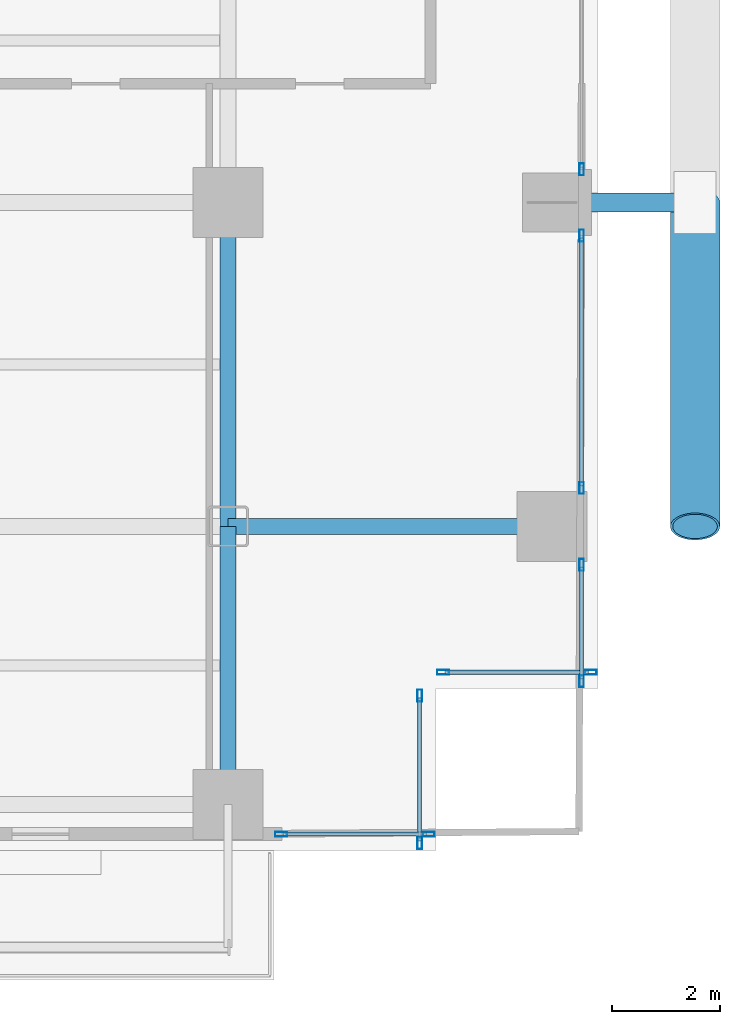
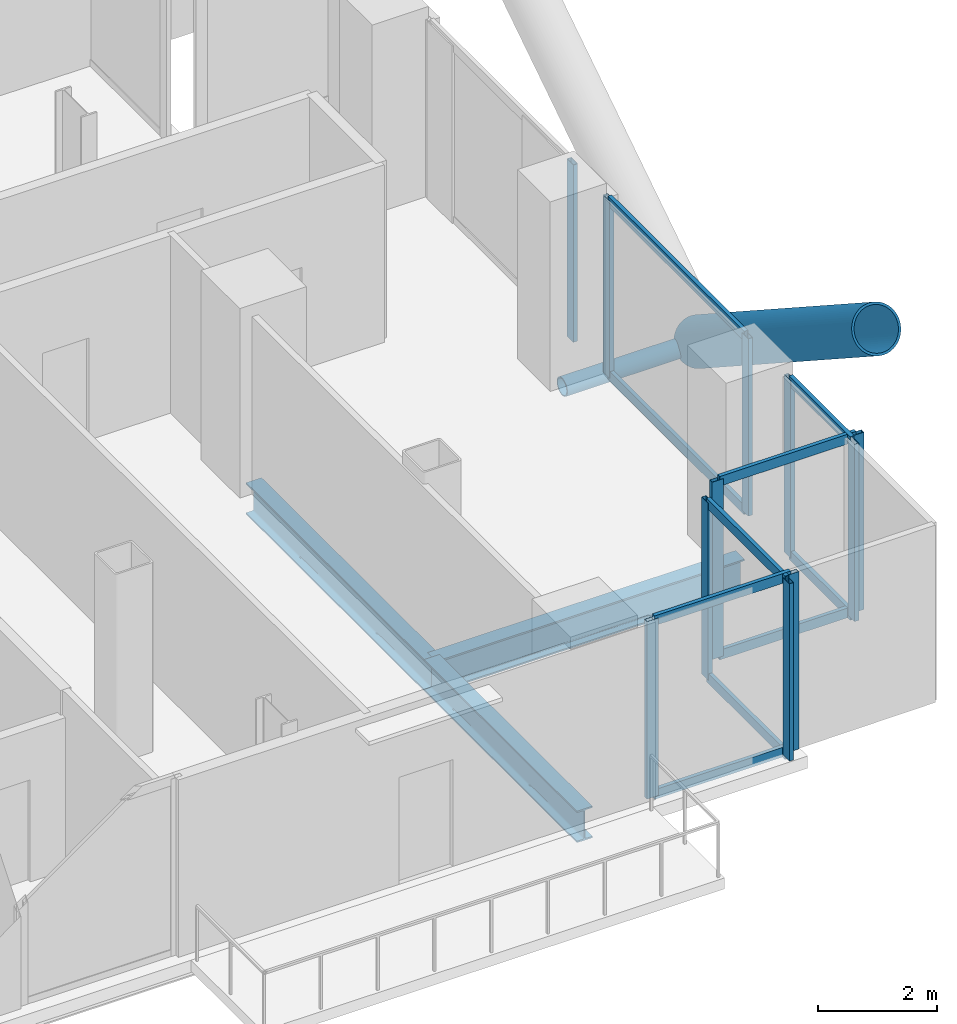
# One storey, part 10 of 27: 23 members, 3 beams, 6 elements without a shape of their own.
"""IFC4 building model written with IfcOpenShell, lengths in metres."""

from ifc_helpers import new_model, si_unit, direction, frame, origin, origin_2d, place, context, subcontext, project, spatial, hollow_rectangle, hollow_circle, i_section, extrude, material, layer, layer_set, material_profile, profile_set, type_object, element, aggregate, save


model = new_model("IFC4")

# Units and contexts
model_context = context("Model", 3, precision=1e-05, world=origin(), true_north=direction((0.0, 1.0)))
body_context = subcontext(model_context, "Body", "Model", "MODEL_VIEW")
ifc_project = project(units=[si_unit("LENGTHUNIT", "METRE"), si_unit("AREAUNIT", "SQUARE_METRE"), si_unit("VOLUMEUNIT", "CUBIC_METRE"), si_unit("PLANEANGLEUNIT", "RADIAN"), si_unit("MASSUNIT", "GRAM", prefix="KILO"), si_unit("THERMODYNAMICTEMPERATUREUNIT", "KELVIN"), si_unit("POWERUNIT", "WATT")], contexts=[model_context])

# Site, building, storey
site_placement = place(None, origin())
site = spatial("IfcSite", under=ifc_project, at=site_placement, CompositionType="ELEMENT")
building_placement = place(site_placement, origin())
building = spatial("IfcBuilding", under=site, at=building_placement, Name="Svarakhadi Broadcast Tower", CompositionType="ELEMENT")
storey_placement = place(building_placement, frame((0.0, 0.0, 44.10009765625)))
storey = spatial("IfcBuildingStorey", under=building, at=storey_placement, Name="L09", CompositionType="ELEMENT", Elevation=44.10009765625)

# Curtain wall, member
ifc_material_1 = material(Name="Anodised Bronze Aluminium AA 6063-T6", Category="aluminium")
ifc_layer = layer(ifc_material_1, 0.219970703125)
ifc_layer_set = layer_set([ifc_layer], Name="Anodised Bronze Aluminium AA 6063-T6")
curtain_wall_type = type_object("IfcCurtainWallType", Name="CW_Sys_02", PredefinedType="NOTDEFINED", material=ifc_layer_set)
curtain_wall_1_placement = place(storey_placement, origin())
curtain_wall_1 = element("IfcCurtainWall", 1, at=curtain_wall_1_placement, inside=storey, type_object=curtain_wall_type, Name="L09 Unitised Facade Curtain Wall 13 Bay 2", PredefinedType="NOTDEFINED")
ifc_material_profile_1 = material_profile(ifc_material_1, hollow_rectangle(XDim=0.0849609375, YDim=0.219970703125, WallThickness=0.006103515625, at=origin_2d()), Name="ALU MULLION 220x85x6")
ifc_profile_set_1 = profile_set([ifc_material_profile_1], Name="Anodised Bronze Aluminium AA 6063-T6")
member_type_1 = type_object("IfcMemberType", Name="CW_Sys_02_Mul", PredefinedType="MULLION", material=ifc_profile_set_1)
member_1_placement = place(storey_placement, frame((53.699951171875, 12.612548828125, 0.0), z_axis=(0.0, 0.0, 1.0), x_axis=(1.0, 0.0, 0.0)))
member_1 = element("IfcMember", 2, at=member_1_placement, type_object=member_type_1, Name="CW-02 mullion 2", PredefinedType="MULLION", context=body_context, shape_type="SweptSolid", body=[
    extrude(hollow_rectangle(XDim=0.0849609375, YDim=0.219970703125, WallThickness=0.006103515625, at=origin_2d()), origin(), (0.0, 0.0, 1.0), 3.64990234375),
])
aggregate(curtain_wall_1, [member_1])

# Curtain wall, members
curtain_wall_2_placement = place(storey_placement, origin())
curtain_wall_2 = element("IfcCurtainWall", 3, at=curtain_wall_2_placement, inside=storey, type_object=curtain_wall_type, Name="L09 Unitised Facade Curtain Wall 13 Bay 3", PredefinedType="NOTDEFINED")
member_2_placement = place(storey_placement, frame((53.699951171875, 11.387451171875, 0.0), z_axis=(0.0, 0.0, 1.0), x_axis=(1.0, 0.0, 0.0)))
member_2 = element("IfcMember", 4, at=member_2_placement, type_object=member_type_1, Name="CW-02 mullion 1", PredefinedType="MULLION", context=body_context, shape_type="SweptSolid", body=[
    extrude(hollow_rectangle(XDim=0.0849609375, YDim=0.219970703125, WallThickness=0.006103515625, at=origin_2d()), origin(), (0.0, 0.0, 1.0), 3.64990234375),
])
member_3_placement = place(storey_placement, frame((53.699951171875, 6.71240234375, 0.0), z_axis=(0.0, 0.0, 1.0), x_axis=(1.0, 0.0, 0.0)))
member_3 = element("IfcMember", 5, at=member_3_placement, type_object=member_type_1, Name="CW-02 mullion 2", PredefinedType="MULLION", context=body_context, shape_type="SweptSolid", body=[
    extrude(hollow_rectangle(XDim=0.0849609375, YDim=0.219970703125, WallThickness=0.006103515625, at=origin_2d()), origin(), (0.0, 0.0, 1.0), 3.64990234375),
])

curtain_wall_3_placement = place(storey_placement, origin())
curtain_wall_3 = element("IfcCurtainWall", 6, at=curtain_wall_3_placement, inside=storey, type_object=curtain_wall_type, Name="L09 Unitised Facade Curtain Wall 13 Bay 4", PredefinedType="NOTDEFINED")
member_4_placement = place(storey_placement, frame((53.699951171875, 5.28759765625, 0.0), z_axis=(0.0, 0.0, 1.0), x_axis=(1.0, 0.0, 0.0)))
member_4 = element("IfcMember", 7, at=member_4_placement, type_object=member_type_1, Name="CW-02 mullion 1", PredefinedType="MULLION", context=body_context, shape_type="SweptSolid", body=[
    extrude(hollow_rectangle(XDim=0.0849609375, YDim=0.219970703125, WallThickness=0.006103515625, at=origin_2d()), origin(), (0.0, 0.0, 1.0), 3.64990234375),
])
member_5_placement = place(storey_placement, frame((53.699951171875, 3.132568359375, 0.0), z_axis=(0.0, 0.0, 1.0), x_axis=(1.0, 0.0, 0.0)))
member_5 = element("IfcMember", 8, at=member_5_placement, type_object=member_type_1, Name="CW-02 mullion 2", PredefinedType="MULLION", context=body_context, shape_type="SweptSolid", body=[
    extrude(hollow_rectangle(XDim=0.0849609375, YDim=0.219970703125, WallThickness=0.006103515625, at=origin_2d()), origin(), (0.0, 0.0, 1.0), 3.64990234375),
])

curtain_wall_4_placement = place(storey_placement, origin())
curtain_wall_4 = element("IfcCurtainWall", 9, at=curtain_wall_4_placement, inside=storey, type_object=curtain_wall_type, Name="L09 Unitised Facade Curtain Wall 14", PredefinedType="NOTDEFINED")
member_6_placement = place(storey_placement, frame((53.867431640625, 3.300048828125, 0.0), z_axis=(0.0, 0.0, 1.0), x_axis=(0.0, -1.0, 0.0)))
member_6 = element("IfcMember", 10, at=member_6_placement, type_object=member_type_1, Name="CW-02 mullion 1", PredefinedType="MULLION", context=body_context, shape_type="SweptSolid", body=[
    extrude(hollow_rectangle(XDim=0.0849609375, YDim=0.219970703125, WallThickness=0.006103515625, at=origin_2d()), origin(), (0.0, 0.0, 1.0), 3.64990234375),
])
member_7_placement = place(storey_placement, frame((51.132568359375, 3.300048828125, 0.0), z_axis=(0.0, 0.0, 1.0), x_axis=(0.0, -1.0, 0.0)))
member_7 = element("IfcMember", 11, at=member_7_placement, type_object=member_type_1, Name="CW-02 mullion 2", PredefinedType="MULLION", context=body_context, shape_type="SweptSolid", body=[
    extrude(hollow_rectangle(XDim=0.0849609375, YDim=0.219970703125, WallThickness=0.006103515625, at=origin_2d()), origin(), (0.0, 0.0, 1.0), 3.64990234375),
])

curtain_wall_5_placement = place(storey_placement, origin())
curtain_wall_5 = element("IfcCurtainWall", 12, at=curtain_wall_5_placement, inside=storey, type_object=curtain_wall_type, Name="L09 Unitised Facade Curtain Wall 15", PredefinedType="NOTDEFINED")
member_8_placement = place(storey_placement, frame((50.699951171875, 2.867431640625, 0.0), z_axis=(0.0, 0.0, 1.0), x_axis=(1.0, 0.0, 0.0)))
member_8 = element("IfcMember", 13, at=member_8_placement, type_object=member_type_1, Name="CW-02 mullion 1", PredefinedType="MULLION", context=body_context, shape_type="SweptSolid", body=[
    extrude(hollow_rectangle(XDim=0.0849609375, YDim=0.219970703125, WallThickness=0.006103515625, at=origin_2d()), origin(), (0.0, 0.0, 1.0), 3.64990234375),
])
member_9_placement = place(storey_placement, frame((50.699951171875, 0.132568359375, 0.0), z_axis=(0.0, 0.0, 1.0), x_axis=(1.0, 0.0, 0.0)))
member_9 = element("IfcMember", 14, at=member_9_placement, type_object=member_type_1, Name="CW-02 mullion 2", PredefinedType="MULLION", context=body_context, shape_type="SweptSolid", body=[
    extrude(hollow_rectangle(XDim=0.0849609375, YDim=0.219970703125, WallThickness=0.006103515625, at=origin_2d()), origin(), (0.0, 0.0, 1.0), 3.64990234375),
])

curtain_wall_6_placement = place(storey_placement, origin())
curtain_wall_6 = element("IfcCurtainWall", 15, at=curtain_wall_6_placement, inside=storey, type_object=curtain_wall_type, Name="L09 South Curtain Wall 16", PredefinedType="NOTDEFINED")
member_10_placement = place(storey_placement, frame((50.867431640625, 0.300048828125, 0.0), z_axis=(0.0, 0.0, 1.0), x_axis=(0.0, -1.0, 0.0)))
member_10 = element("IfcMember", 16, at=member_10_placement, type_object=member_type_1, Name="CW-02 mullion 1", PredefinedType="MULLION", context=body_context, shape_type="SweptSolid", body=[
    extrude(hollow_rectangle(XDim=0.0849609375, YDim=0.219970703125, WallThickness=0.006103515625, at=origin_2d()), origin(), (0.0, 0.0, 1.0), 3.64990234375),
])
member_11_placement = place(storey_placement, frame((48.132568359375, 0.300048828125, 0.0), z_axis=(0.0, 0.0, 1.0), x_axis=(0.0, -1.0, 0.0)))
member_11 = element("IfcMember", 17, at=member_11_placement, type_object=member_type_1, Name="CW-02 mullion 2", PredefinedType="MULLION", context=body_context, shape_type="SweptSolid", body=[
    extrude(hollow_rectangle(XDim=0.0849609375, YDim=0.219970703125, WallThickness=0.006103515625, at=origin_2d()), origin(), (0.0, 0.0, 1.0), 3.64990234375),
])

# Member
ifc_material_profile_2 = material_profile(ifc_material_1, hollow_rectangle(XDim=0.074951171875, YDim=0.199951171875, WallThickness=0.0048828125, at=origin_2d()), Name="ALU TRANSOM 200x75x5")
ifc_profile_set_2 = profile_set([ifc_material_profile_2], Name="Anodised Bronze Aluminium AA 6063-T6")
member_type_2 = type_object("IfcMemberType", Name="CW_Sys_02_Trn", PredefinedType="USERDEFINED", material=ifc_profile_set_2)
member_12_placement = place(storey_placement, frame((53.699951171875, 11.344970703125, 0.037353515625), z_axis=(0.0, -1.0, 0.0), x_axis=(1.0, 0.0, 0.0)))
member_12 = element("IfcMember", 18, at=member_12_placement, type_object=member_type_2, Name="CW-02 transom 1.1", ObjectType="TRANSOM", PredefinedType="USERDEFINED", context=body_context, shape_type="SweptSolid", body=[
    extrude(hollow_rectangle(XDim=0.074951171875, YDim=0.199951171875, WallThickness=0.0048828125, at=origin_2d()), origin(), (0.0, 0.0, 1.0), 4.590087890625),
])

member_13_placement = place(storey_placement, frame((53.699951171875, 11.344970703125, 3.6123046875), z_axis=(0.0, -1.0, 0.0), x_axis=(1.0, 0.0, 0.0)))
member_13 = element("IfcMember", 19, at=member_13_placement, type_object=member_type_2, Name="CW-02 transom 1.2", ObjectType="TRANSOM", PredefinedType="USERDEFINED", context=body_context, shape_type="SweptSolid", body=[
    extrude(hollow_rectangle(XDim=0.074951171875, YDim=0.199951171875, WallThickness=0.0048828125, at=origin_2d()), origin(), (0.0, 0.0, 1.0), 4.590087890625),
])

aggregate(curtain_wall_2, [member_2, member_3, member_12, member_13])

member_14_placement = place(storey_placement, frame((53.699951171875, 5.2451171875, 0.037353515625), z_axis=(0.0, -1.0, 0.0), x_axis=(1.0, 0.0, 0.0)))
member_14 = element("IfcMember", 20, at=member_14_placement, type_object=member_type_2, Name="CW-02 transom 1.1", ObjectType="TRANSOM", PredefinedType="USERDEFINED", context=body_context, shape_type="SweptSolid", body=[
    extrude(hollow_rectangle(XDim=0.074951171875, YDim=0.199951171875, WallThickness=0.0048828125, at=origin_2d()), origin(), (0.0, 0.0, 1.0), 2.070068359375),
])

member_15_placement = place(storey_placement, frame((53.699951171875, 5.2451171875, 3.6123046875), z_axis=(0.0, -1.0, 0.0), x_axis=(1.0, 0.0, 0.0)))
member_15 = element("IfcMember", 21, at=member_15_placement, type_object=member_type_2, Name="CW-02 transom 1.2", ObjectType="TRANSOM", PredefinedType="USERDEFINED", context=body_context, shape_type="SweptSolid", body=[
    extrude(hollow_rectangle(XDim=0.074951171875, YDim=0.199951171875, WallThickness=0.0048828125, at=origin_2d()), origin(), (0.0, 0.0, 1.0), 2.070068359375),
])

aggregate(curtain_wall_3, [member_4, member_5, member_14, member_15])

member_16_placement = place(storey_placement, frame((53.824951171875, 3.300048828125, 0.037353515625), z_axis=(-1.0, 0.0, 0.0), x_axis=(0.0, -1.0, 0.0)))
member_16 = element("IfcMember", 22, at=member_16_placement, type_object=member_type_2, Name="CW-02 transom 1.1", ObjectType="TRANSOM", PredefinedType="USERDEFINED", context=body_context, shape_type="SweptSolid", body=[
    extrude(hollow_rectangle(XDim=0.074951171875, YDim=0.199951171875, WallThickness=0.0048828125, at=origin_2d()), origin(), (0.0, 0.0, 1.0), 2.64990234375),
])

member_17_placement = place(storey_placement, frame((53.824951171875, 3.300048828125, 3.6123046875), z_axis=(-1.0, 0.0, 0.0), x_axis=(0.0, -1.0, 0.0)))
member_17 = element("IfcMember", 23, at=member_17_placement, type_object=member_type_2, Name="CW-02 transom 1.2", ObjectType="TRANSOM", PredefinedType="USERDEFINED", context=body_context, shape_type="SweptSolid", body=[
    extrude(hollow_rectangle(XDim=0.074951171875, YDim=0.199951171875, WallThickness=0.0048828125, at=origin_2d()), origin(), (0.0, 0.0, 1.0), 2.64990234375),
])

aggregate(curtain_wall_4, [member_6, member_7, member_16, member_17])

member_18_placement = place(storey_placement, frame((50.699951171875, 2.824951171875, 0.037353515625), z_axis=(0.0, -1.0, 0.0), x_axis=(1.0, 0.0, 0.0)))
member_18 = element("IfcMember", 24, at=member_18_placement, type_object=member_type_2, Name="CW-02 transom 1.1", ObjectType="TRANSOM", PredefinedType="USERDEFINED", context=body_context, shape_type="SweptSolid", body=[
    extrude(hollow_rectangle(XDim=0.074951171875, YDim=0.199951171875, WallThickness=0.0048828125, at=origin_2d()), origin(), (0.0, 0.0, 1.0), 2.64990234375),
])

member_19_placement = place(storey_placement, frame((50.699951171875, 2.824951171875, 3.6123046875), z_axis=(0.0, -1.0, 0.0), x_axis=(1.0, 0.0, 0.0)))
member_19 = element("IfcMember", 25, at=member_19_placement, type_object=member_type_2, Name="CW-02 transom 1.2", ObjectType="TRANSOM", PredefinedType="USERDEFINED", context=body_context, shape_type="SweptSolid", body=[
    extrude(hollow_rectangle(XDim=0.074951171875, YDim=0.199951171875, WallThickness=0.0048828125, at=origin_2d()), origin(), (0.0, 0.0, 1.0), 2.64990234375),
])

aggregate(curtain_wall_5, [member_8, member_9, member_18, member_19])

member_20_placement = place(storey_placement, frame((50.824951171875, 0.300048828125, 0.037353515625), z_axis=(-1.0, 0.0, 0.0), x_axis=(0.0, -1.0, 0.0)))
member_20 = element("IfcMember", 26, at=member_20_placement, type_object=member_type_2, Name="CW-02 transom 1.1", ObjectType="TRANSOM", PredefinedType="USERDEFINED", context=body_context, shape_type="SweptSolid", body=[
    extrude(hollow_rectangle(XDim=0.074951171875, YDim=0.199951171875, WallThickness=0.0048828125, at=origin_2d()), origin(), (0.0, 0.0, 1.0), 2.64990234375),
])

member_21_placement = place(storey_placement, frame((50.824951171875, 0.300048828125, 3.6123046875), z_axis=(-1.0, 0.0, 0.0), x_axis=(0.0, -1.0, 0.0)))
member_21 = element("IfcMember", 27, at=member_21_placement, type_object=member_type_2, Name="CW-02 transom 1.2", ObjectType="TRANSOM", PredefinedType="USERDEFINED", context=body_context, shape_type="SweptSolid", body=[
    extrude(hollow_rectangle(XDim=0.074951171875, YDim=0.199951171875, WallThickness=0.0048828125, at=origin_2d()), origin(), (0.0, 0.0, 1.0), 2.64990234375),
])

aggregate(curtain_wall_6, [member_10, member_11, member_20, member_21])

# Members
ifc_material_2 = material(Name="Steel S460ML (IS 2062 E450BR)", Category="steel")
ifc_material_profile_3 = material_profile(ifc_material_2, hollow_circle(Radius=0.45703125, WallThickness=0.044921875, at=origin_2d()), Name="CHS 914x45")
ifc_profile_set_3 = profile_set([ifc_material_profile_3], Name="Steel S460ML (IS 2062 E450BR)")
member_type_3 = type_object("IfcMemberType", Name="Exo_Brace_CHS914", PredefinedType="BRACE", material=ifc_profile_set_3)
member_22_placement = place(storey_placement, frame((55.800048828125, 12.0, -0.427978515625), z_axis=(0.0, -0.838434262763, 0.545002740383), x_axis=(1.0, 0.0, 0.0)))
element("IfcMember", 28, at=member_22_placement, inside=storey, type_object=member_type_3, Name="L09 Exposed Bronze Exoskeleton Diagonal E10", PredefinedType="BRACE", context=body_context, shape_type="SweptSolid", body=[
    extrude(hollow_circle(Radius=0.45703125, WallThickness=0.044921875, at=origin_2d()), origin(), (0.0, 0.0, 1.0), 7.15625),
])
ifc_material_profile_4 = material_profile(ifc_material_2, hollow_circle(Radius=0.177734375, WallThickness=0.02001953125, at=origin_2d()), Name="CHS 355.6x20")
ifc_profile_set_4 = profile_set([ifc_material_profile_4], Name="Steel S460ML (IS 2062 E450BR)")
member_type_4 = type_object("IfcMemberType", Name="Exo_Radial_Strut_Z1", PredefinedType="STRUT", material=ifc_profile_set_4)
member_23_placement = place(storey_placement, frame((55.800048828125, 12.0, -0.427978515625), z_axis=(-1.0, 0.0, 0.0), x_axis=(0.0, -1.0, 0.0)))
element("IfcMember", 29, at=member_23_placement, inside=storey, type_object=member_type_4, Name="L09 Exoskeleton Radial Tie Strut E06", PredefinedType="STRUT", context=body_context, shape_type="SweptSolid", body=[
    extrude(hollow_circle(Radius=0.177734375, WallThickness=0.02001953125, at=origin_2d()), origin(), (0.0, 0.0, 1.0), 2.650146484375),
])

# Beams
ifc_material_3 = material(Name="Steel S355J2 (IS 2062 E350C)", Category="steel")
ifc_material_profile_5 = material_profile(ifc_material_3, i_section(OverallWidth=0.300048828125, OverallDepth=0.64990234375, WebThickness=0.01611328125, FlangeThickness=0.031005859375, FilletRadius=0.027099609375, at=origin_2d()), Name="WPB 650x300x225")
ifc_profile_set_5 = profile_set([ifc_material_profile_5], Name="Steel S355J2 (IS 2062 E350C)")
beam_type = type_object("IfcBeamType", Name="Girder_WPB650", PredefinedType="USERDEFINED", material=ifc_profile_set_5)
beam_1_placement = place(storey_placement, frame((47.14990234375, 6.0, -0.5751953125), z_axis=(1.0, 0.0, 0.0), x_axis=(0.0, 1.0, 0.0)))
element("IfcBeam", 30, at=beam_1_placement, inside=storey, type_object=beam_type, Name="L09 Primary E-W Girder G018", ObjectType="GIRDER", PredefinedType="USERDEFINED", context=body_context, shape_type="SweptSolid", body=[
    extrude(i_section(OverallWidth=0.300048828125, OverallDepth=0.64990234375, WebThickness=0.01611328125, FlangeThickness=0.031005859375, FilletRadius=0.027099609375, at=origin_2d()), origin(), (0.0, 0.0, 1.0), 6.0),
])
beam_2_placement = place(storey_placement, frame((47.14990234375, 0.85009765625, -0.5751953125), z_axis=(0.0, 1.0, 0.0), x_axis=(-1.0, 0.0, 0.0)))
element("IfcBeam", 31, at=beam_2_placement, inside=storey, type_object=beam_type, Name="L09 Primary N-S Girder G082", ObjectType="GIRDER", PredefinedType="USERDEFINED", context=body_context, shape_type="SweptSolid", body=[
    extrude(i_section(OverallWidth=0.300048828125, OverallDepth=0.64990234375, WebThickness=0.01611328125, FlangeThickness=0.031005859375, FilletRadius=0.027099609375, at=origin_2d()), origin(), (0.0, 0.0, 1.0), 5.14990234375),
])
beam_3_placement = place(storey_placement, frame((47.14990234375, 6.0, -0.5751953125), z_axis=(0.0, 1.0, 0.0), x_axis=(-1.0, 0.0, 0.0)))
element("IfcBeam", 32, at=beam_3_placement, inside=storey, type_object=beam_type, Name="L09 Primary N-S Girder G083", ObjectType="GIRDER", PredefinedType="USERDEFINED", context=body_context, shape_type="SweptSolid", body=[
    extrude(i_section(OverallWidth=0.300048828125, OverallDepth=0.64990234375, WebThickness=0.01611328125, FlangeThickness=0.031005859375, FilletRadius=0.027099609375, at=origin_2d()), origin(), (0.0, 0.0, 1.0), 6.0),
])

save(model, "model.ifc")
